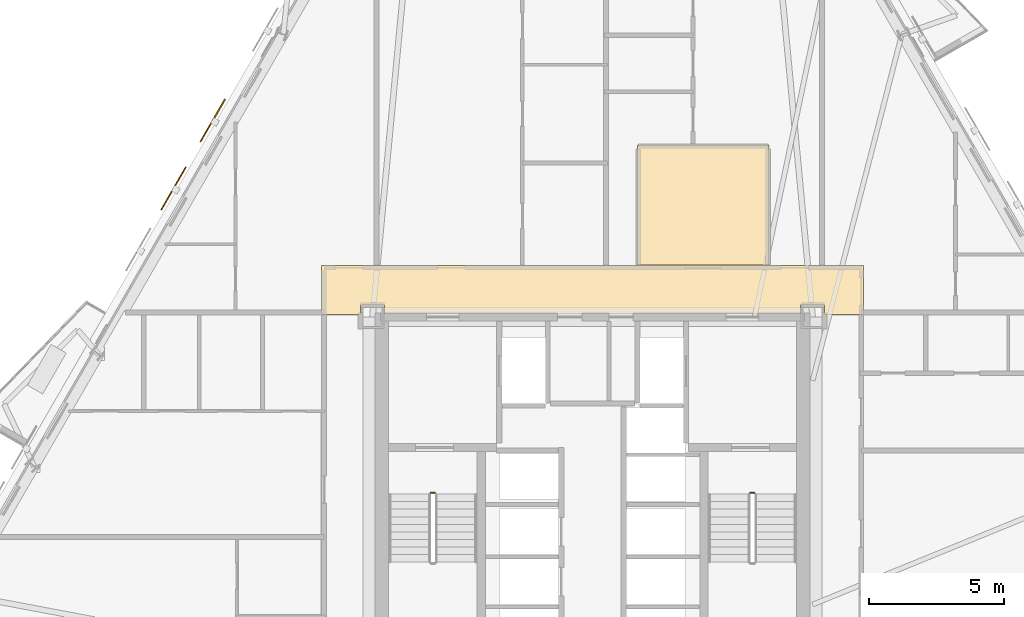
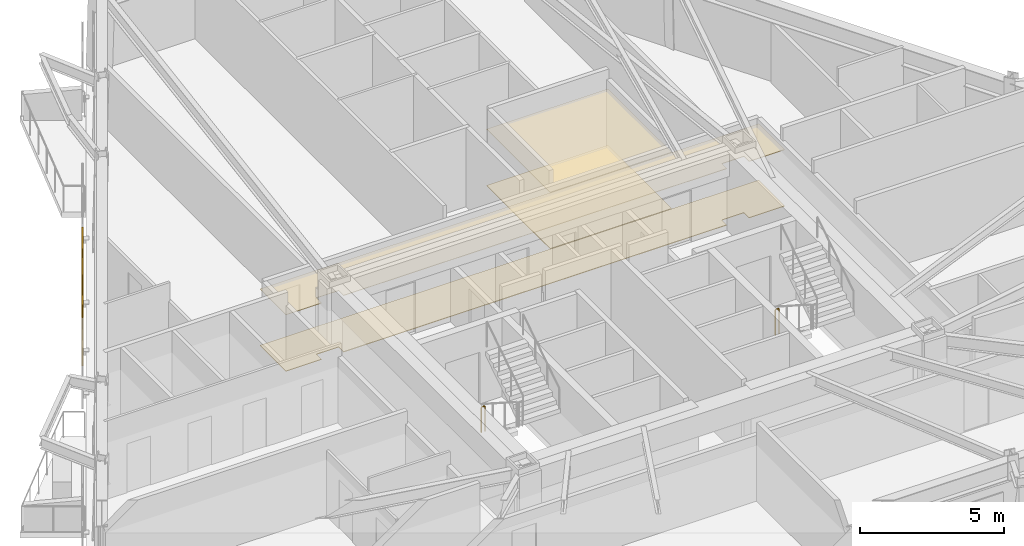
# One storey, part 10 of 11: 4 coverings, 2 railings, 2 shading devices.
"""IFC4 building model written with IfcOpenShell, lengths in metres."""

from ifc_helpers import new_model, si_unit, direction, frame, origin, origin_2d, place, context, subcontext, project, spatial, polyline, rectangle, circle, outline, extrude, material, layer, layer_set, type_object, element, save


model = new_model("IFC4")

# Units and contexts
model_context = context("Model", 3, precision=1e-05, world=origin(), true_north=direction((0.0, 1.0)))
body_context = subcontext(model_context, "Body", "Model", "MODEL_VIEW")
ifc_project = project(units=[si_unit("LENGTHUNIT", "METRE"), si_unit("AREAUNIT", "SQUARE_METRE"), si_unit("VOLUMEUNIT", "CUBIC_METRE"), si_unit("PLANEANGLEUNIT", "RADIAN"), si_unit("MASSUNIT", "GRAM", prefix="KILO")], contexts=[model_context])

# Site, building, storey
site_placement = place(None, origin())
site = spatial("IfcSite", under=ifc_project, at=site_placement, CompositionType="ELEMENT")
building_placement = place(site_placement, origin())
building = spatial("IfcBuilding", under=site, at=building_placement, Name="Oramaril Tower", CompositionType="ELEMENT")
storey_placement = place(building_placement, frame((0.0, 0.0, 82.5)))
storey = spatial("IfcBuildingStorey", under=building, at=storey_placement, Name="L21", CompositionType="ELEMENT", Elevation=82.5)

# Coverings
ifc_material_1 = material(Name="Mineral Fibre Acoustic Ceiling")
ifc_layer_1 = layer(ifc_material_1, 0.02001953125)
ifc_layer_set_1 = layer_set([ifc_layer_1], Name="CVT-CEIL")
covering_type_1 = type_object("IfcCoveringType", Name="CVT-CEIL", PredefinedType="CEILING", material=ifc_layer_set_1)
covering_1_placement = place(storey_placement, frame((0.0, 0.0, 2.39990234375)))
element("IfcCovering", 1, at=covering_1_placement, inside=storey, type_object=covering_type_1, Name="L21 Acoustic Suspended Ceiling 2", PredefinedType="CEILING", context=body_context, shape_type="SweptSolid", body=[
    extrude(outline(polyline([(47.530029296875, 24.239990234375), (46.094970703125, 24.239990234375), (46.094970703125, 24.594970703125), (45.205078125, 24.594970703125), (45.205078125, 24.25), (29.794921875, 24.25), (29.794921875, 24.594970703125), (28.905029296875, 24.594970703125), (28.905029296875, 24.239990234375), (27.469970703125, 24.239990234375), (27.469970703125, 26.050048828125), (47.530029296875, 26.050048828125), (47.530029296875, 24.239990234375)])), origin(), (0.0, 0.0, 1.0), 0.02001953125),
])
covering_2_placement = place(storey_placement, frame((0.0, 0.0, 2.39990234375)))
element("IfcCovering", 2, at=covering_2_placement, inside=storey, type_object=covering_type_1, Name="L21 Acoustic Suspended Ceiling 5", PredefinedType="CEILING", context=body_context, shape_type="SweptSolid", body=[
    extrude(outline(polyline([(44.0419921875, 30.511962890625), (44.0419921875, 26.070068359375), (39.157958984375, 26.070068359375), (39.157958984375, 30.511962890625), (44.0419921875, 30.511962890625)])), origin(), (0.0, 0.0, 1.0), 0.02001953125),
])
ifc_material_2 = material(Name="Honed Quartzite Stone Flooring", Category="masonry")
ifc_layer_2 = layer(ifc_material_2, 0.02490234375)
ifc_layer_set_2 = layer_set([ifc_layer_2], Name="CVT-FLR")
covering_type_2 = type_object("IfcCoveringType", Name="CVT-FLR", PredefinedType="FLOORING", material=ifc_layer_set_2)
covering_3_placement = place(storey_placement, origin())
element("IfcCovering", 3, at=covering_3_placement, inside=storey, type_object=covering_type_2, Name="L21 Honed Stone Floor Finish 2", PredefinedType="FLOORING", context=body_context, shape_type="SweptSolid", body=[
    extrude(outline(polyline([(47.530029296875, 24.239990234375), (46.094970703125, 24.239990234375), (46.094970703125, 24.594970703125), (45.205078125, 24.594970703125), (45.205078125, 24.25), (29.794921875, 24.25), (29.794921875, 24.594970703125), (28.905029296875, 24.594970703125), (28.905029296875, 24.239990234375), (27.469970703125, 24.239990234375), (27.469970703125, 26.050048828125), (47.530029296875, 26.050048828125), (47.530029296875, 24.239990234375)])), origin(), (0.0, 0.0, 1.0), 0.02490234375),
])
covering_4_placement = place(storey_placement, origin())
element("IfcCovering", 4, at=covering_4_placement, inside=storey, type_object=covering_type_2, Name="L21 Honed Stone Floor Finish 5", PredefinedType="FLOORING", context=body_context, shape_type="SweptSolid", body=[
    extrude(outline(polyline([(44.0419921875, 30.511962890625), (44.0419921875, 26.070068359375), (39.157958984375, 26.070068359375), (39.157958984375, 30.511962890625), (44.0419921875, 30.511962890625)])), origin(), (0.0, 0.0, 1.0), 0.02490234375),
])

# Railings
ifc_material_3 = material(Name="Stainless Steel 316L", Category="steel")
railing_type = type_object("IfcRailingType", Name="RLT-GRD", PredefinedType="GUARDRAIL", material=ifc_material_3)
for number, where, name in (
    (5, (31.510009765625, 17.639892578125, 0.0), "L21 ST-1 stair guard 4"),
    (6, (43.340087890625, 17.639892578125, 0.0), "L21 ST-2 stair guard 4"),
):
    element("IfcRailing", number, at=place(storey_placement, frame(where)), inside=storey, type_object=railing_type, Name=name, PredefinedType="GUARDRAIL", context=body_context, shape_type="SweptSolid", body=[
        extrude(circle(Radius=0.02392578125, at=origin_2d()), frame((0.0, 0.0, 1.076171875), z_axis=(1.0, 0.0, 0.0), x_axis=(0.0, 1.0, 0.0)), (0.0, 0.0, 1.0), 0.14990234375),
        extrude(circle(Radius=0.02099609375, at=origin_2d()), origin(), (0.0, 0.0, 1.0), 1.052001953125),
        extrude(circle(Radius=0.02099609375, at=origin_2d()), frame((0.14990234375, 0.0, 0.0)), (0.0, 0.0, 1.0), 1.052001953125),
    ])

# Shading devices
for number, where, z_axis, x_axis, name in (
    (7, (23.43359375, 31.41748046875, -0.02001953125), (0.0, 0.0, 1.0), (-0.5, -0.866025403784, 0.0), "L21 Perforated Ceramic Solar Screen"),
    (8, (21.98388671875, 28.906982421875, -0.02001953125), (0.0, 0.0, 1.0), (-0.5, -0.866025403784, 0.0), "L21 Perforated Ceramic Solar Screen"),
):
    element("IfcShadingDevice", number, at=place(storey_placement, frame(where, z_axis=z_axis, x_axis=x_axis)), inside=storey, Name=name, ObjectType="SCREEN", PredefinedType="USERDEFINED", context=body_context, shape_type="SweptSolid", body=[
        extrude(rectangle(XDim=1.8330078125, YDim=0.050048828125, at=origin_2d()), origin(), (0.0, 0.0, 1.0), 2.577880859375),
    ])

save(model, "model.ifc")
